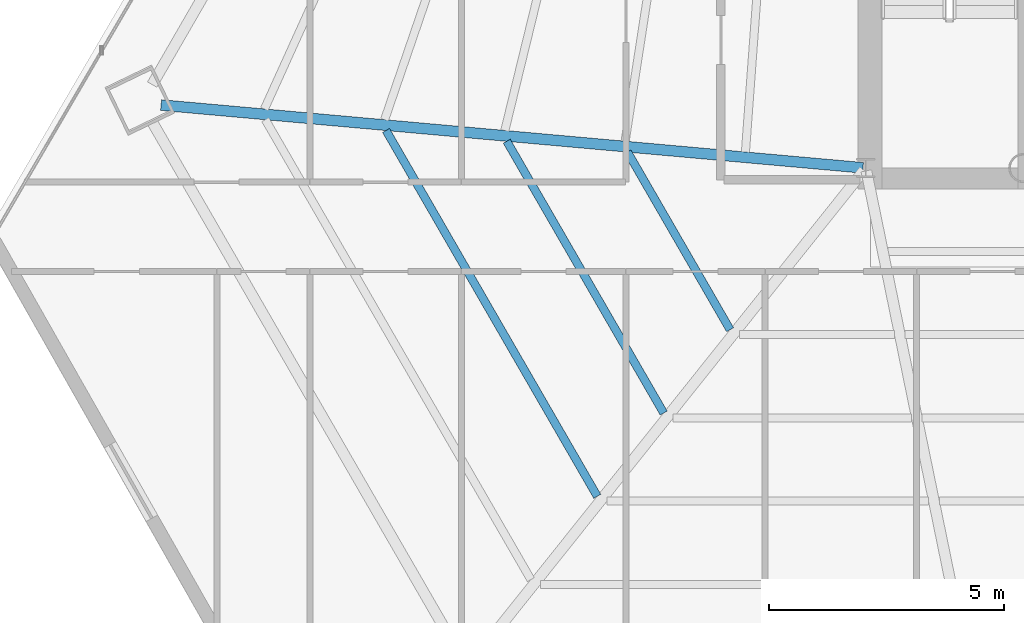
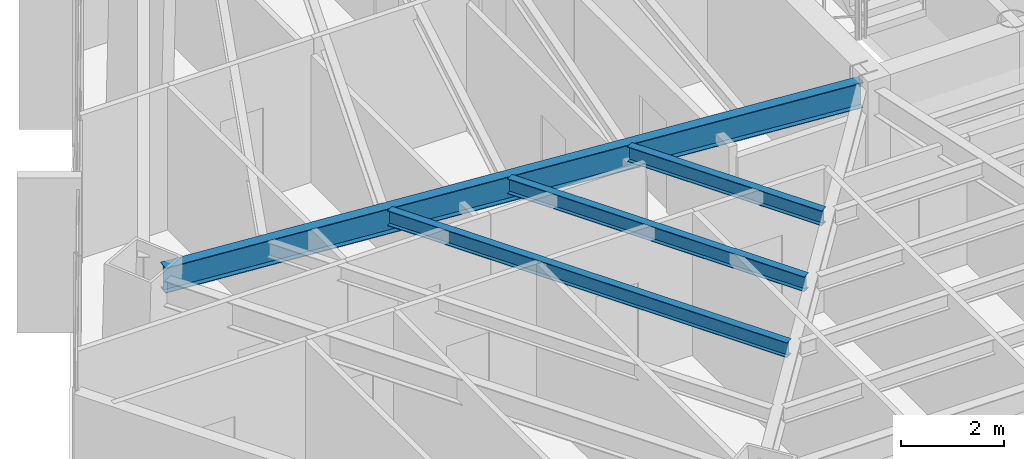
# One storey, part 6 of 35: 4 beams.
"""IFC4 building model written with IfcOpenShell, lengths in metres."""

from ifc_helpers import new_model, si_unit, direction, frame, origin, origin_2d, place, context, subcontext, project, spatial, i_section, extrude, source, transform, mapped, material, material_profile, profile_set, type_object, type_shapes, element, save


model = new_model("IFC4")

# Units and contexts
model_context = context("Model", 3, precision=1e-05, world=origin(), true_north=direction((0.0, 1.0)))
body_context = subcontext(model_context, "Body", "Model", "MODEL_VIEW")
ifc_project = project(units=[si_unit("LENGTHUNIT", "METRE"), si_unit("AREAUNIT", "SQUARE_METRE"), si_unit("VOLUMEUNIT", "CUBIC_METRE"), si_unit("PLANEANGLEUNIT", "RADIAN"), si_unit("MASSUNIT", "GRAM", prefix="KILO")], contexts=[model_context])

# Site, building, storey
site_placement = place(None, origin())
site = spatial("IfcSite", under=ifc_project, at=site_placement, CompositionType="ELEMENT")
building_placement = place(site_placement, origin())
building = spatial("IfcBuilding", under=site, at=building_placement, Name="Caelisora Broadcast Tower", CompositionType="ELEMENT")
storey_placement = place(building_placement, frame((0.0, 0.0, 123.64990234375)))
storey = spatial("IfcBuildingStorey", under=building, at=storey_placement, Name="L32", CompositionType="ELEMENT", Elevation=123.64990234375)

# Beams
ifc_material = material(Name="Steel Grade 350 (AS/NZS 3679.1)", Category="steel")
ifc_material_profile_1 = material_profile(ifc_material, i_section(OverallWidth=0.22802734375, OverallDepth=0.602294921875, WebThickness=0.010498046875, FlangeThickness=0.014892578125, at=origin_2d()), Name="Steel Grade 350 (AS/NZS 3679.1)")
ifc_profile_set_1 = profile_set([ifc_material_profile_1], Name="Steel Grade 350 (AS/NZS 3679.1)")
beam_type_1 = type_object("IfcBeamType", Name="PG04", PredefinedType="BEAM", material=ifc_profile_set_1)
shared_shape_1 = source(origin(), body_context, "Body", "SweptSolid", [
    extrude(i_section(OverallWidth=0.22802734375, OverallDepth=0.602294921875, WebThickness=0.010498046875, FlangeThickness=0.014892578125, at=origin_2d()), origin(), (0.0, 0.0, 1.0), 14.986572265625),
])
type_shapes(beam_type_1, [shared_shape_1])
beam_1_placement = place(storey_placement, frame((30.440185546875, 17.4052734375, 3.098876953125), z_axis=(-0.996024733361, 0.089077104431, 0.0), x_axis=(-0.089077104431, -0.996024733361, 0.0)))
element("IfcBeam", 1, at=beam_1_placement, inside=storey, type_object=beam_type_1, Name="L32 beam PG04", PredefinedType="BEAM", context=body_context, shape_type="MappedRepresentation", body=[
    mapped(shared_shape_1, transform((0.0, 0.0, 0.0), scale=1.0)),
])
ifc_material_profile_2 = material_profile(ifc_material, i_section(OverallWidth=0.172119140625, OverallDepth=0.358642578125, WebThickness=0.008056640625, FlangeThickness=0.012939453125, at=origin_2d()), Name="Steel Grade 350 (AS/NZS 3679.1)")
ifc_profile_set_2 = profile_set([ifc_material_profile_2], Name="Steel Grade 350 (AS/NZS 3679.1)")
beam_type_2 = type_object("IfcBeamType", Name="SB02", PredefinedType="JOIST", material=ifc_profile_set_2)
shared_shape_2 = source(origin(), body_context, "Body", "SweptSolid", [
    extrude(i_section(OverallWidth=0.172119140625, OverallDepth=0.358642578125, WebThickness=0.008056640625, FlangeThickness=0.012939453125, at=origin_2d()), origin(), (0.0, 0.0, 1.0), 4.364013671875),
])
beam_2_placement = place(storey_placement, frame((25.43310546875, 17.7412109375, 3.220703125), z_axis=(0.50002592273, -0.866010436772, 0.0), x_axis=(0.866010436772, 0.50002592273, 0.0)))
element("IfcBeam", 2, at=beam_2_placement, inside=storey, type_object=beam_type_2, Name="L32 beam SB02", PredefinedType="JOIST", context=body_context, shape_type="MappedRepresentation", body=[
    mapped(shared_shape_2, transform((0.0, 0.0, 0.0), scale=1.0)),
])
shared_shape_3 = source(origin(), body_context, "Body", "SweptSolid", [
    extrude(i_section(OverallWidth=0.172119140625, OverallDepth=0.358642578125, WebThickness=0.008056640625, FlangeThickness=0.012939453125, at=origin_2d()), origin(), (0.0, 0.0, 1.0), 6.673828125),
])
beam_3_placement = place(storey_placement, frame((22.86572265625, 17.970703125, 3.220703125), z_axis=(0.499994779655, -0.866028417731, 0.0), x_axis=(0.866028417731, 0.499994779655, 0.0)))
element("IfcBeam", 3, at=beam_3_placement, inside=storey, type_object=beam_type_2, Name="L32 beam SB02", PredefinedType="JOIST", context=body_context, shape_type="MappedRepresentation", body=[
    mapped(shared_shape_3, transform((0.0, 0.0, 0.0), scale=1.0)),
])
shared_shape_4 = source(origin(), body_context, "Body", "SweptSolid", [
    extrude(i_section(OverallWidth=0.172119140625, OverallDepth=0.358642578125, WebThickness=0.008056640625, FlangeThickness=0.012939453125, at=origin_2d()), origin(), (0.0, 0.0, 1.0), 8.98388671875),
])
type_shapes(beam_type_2, [shared_shape_2, shared_shape_3, shared_shape_4])
beam_4_placement = place(storey_placement, frame((20.298095703125, 18.2001953125, 3.220703125), z_axis=(0.500020414175, -0.866013617334, 0.0), x_axis=(0.866013617334, 0.500020414175, 0.0)))
element("IfcBeam", 4, at=beam_4_placement, inside=storey, type_object=beam_type_2, Name="L32 beam SB02", PredefinedType="JOIST", context=body_context, shape_type="MappedRepresentation", body=[
    mapped(shared_shape_4, transform((0.0, 0.0, 0.0), scale=1.0)),
])

save(model, "model.ifc")
